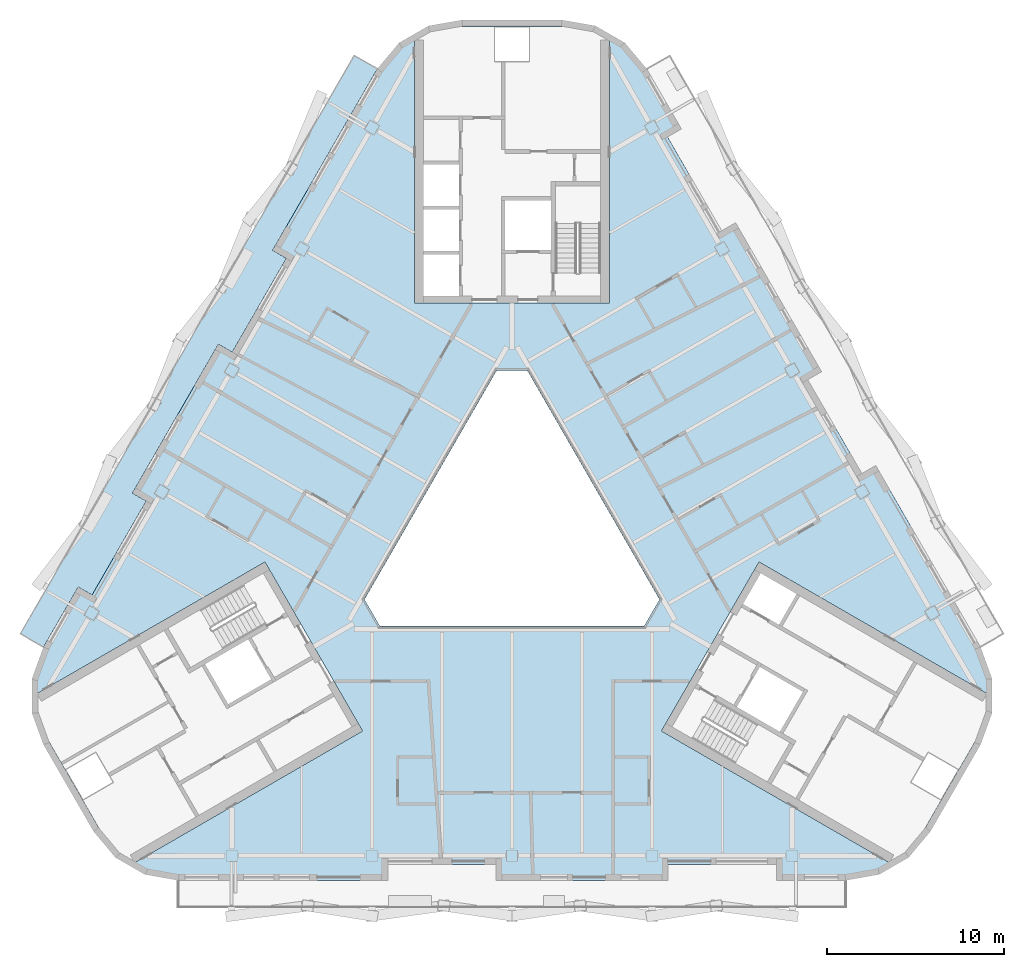
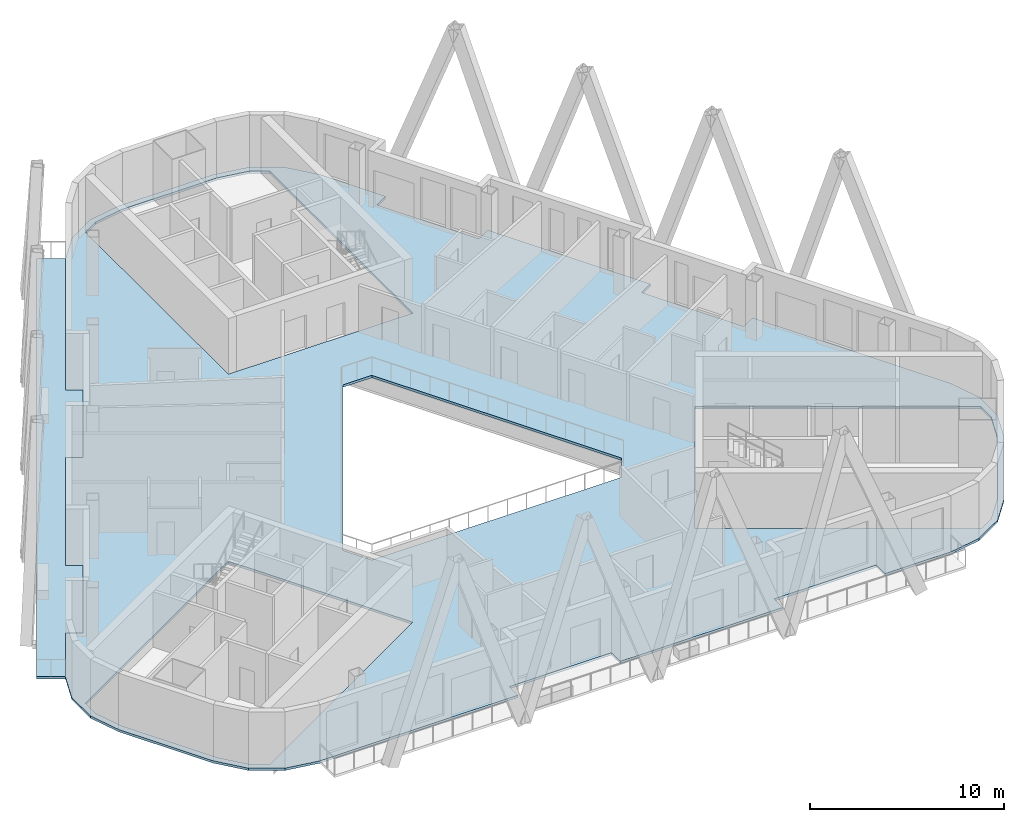
# One storey, part 3 of 18: 2 slabs.
"""IFC4 building model written with IfcOpenShell, lengths in metres."""

from ifc_helpers import new_model, si_unit, direction, frame, origin, place, context, subcontext, project, spatial, polyline, outline, extrude, material, layer, layer_set, type_object, element, save


model = new_model("IFC4")

# Units and contexts
model_context = context("Model", 3, precision=1e-05, world=origin(), true_north=direction((0.0, 1.0)))
body_context = subcontext(model_context, "Body", "Model", "MODEL_VIEW")
ifc_project = project(units=[si_unit("LENGTHUNIT", "METRE"), si_unit("AREAUNIT", "SQUARE_METRE"), si_unit("VOLUMEUNIT", "CUBIC_METRE"), si_unit("PLANEANGLEUNIT", "RADIAN"), si_unit("MASSUNIT", "GRAM", prefix="KILO")], contexts=[model_context])

# Site, building, storey
site_placement = place(None, origin())
site = spatial("IfcSite", under=ifc_project, at=site_placement, CompositionType="ELEMENT")
building_placement = place(site_placement, origin())
building = spatial("IfcBuilding", under=site, at=building_placement, Name="Apuvela Tower Hotel", CompositionType="ELEMENT")
storey_placement = place(building_placement, frame((0.0, 0.0, 246.699951171875)))
storey = spatial("IfcBuildingStorey", under=building, at=storey_placement, Name="L60", CompositionType="ELEMENT", Elevation=246.699951171875)

# Slabs
ifc_material_1 = material(Name="Concrete C40/50, fair-faced", Category="concrete")
ifc_layer_1 = layer(ifc_material_1, 0.14990234375)
ifc_layer_set_1 = layer_set([ifc_layer_1], Name="ENV-BALCONY-150")
slab_type_1 = type_object("IfcSlabType", Name="ENV-BALCONY-150", PredefinedType="FLOOR", material=ifc_layer_set_1)
slab_1_placement = place(storey_placement, frame((0.0, 0.0, -0.14990234375)))
element("IfcSlab", 1, at=slab_1_placement, inside=storey, type_object=slab_type_1, Name="Balcony slab NW L60", PredefinedType="FLOOR", context=body_context, shape_type="SweptSolid", body=[
    extrude(outline(polyline([(-27.7138671875, -5.731689453125), (-8.89306640625, 26.86669921875), (-7.585205078125, 26.11181640625), (-13.4931640625, 15.87890625), (-12.7138671875, 15.428955078125), (-15.768798828125, 10.1376953125), (-16.548095703125, 10.587646484375), (-21.393310546875, 2.19580078125), (-20.61376953125, 1.745849609375), (-23.668701171875, -3.545654296875), (-24.4482421875, -3.095703125), (-26.40625, -6.48681640625), (-27.7138671875, -5.731689453125)])), origin(), (0.0, 0.0, 1.0), 0.14990234375),
])
ifc_material_2 = material(Name="Concrete C35/45", Category="concrete")
ifc_layer_2 = layer(ifc_material_2, 0.14990234375)
ifc_layer_set_2 = layer_set([ifc_layer_2], Name="STR-SLAB 150 floor Concrete C35/45")
slab_type_2 = type_object("IfcSlabType", Name="STR-SLAB 150 floor Concrete C35/45", PredefinedType="FLOOR", material=ifc_layer_set_2)
slab_2_placement = place(storey_placement, frame((0.0, 0.0, -0.14990234375)))
element("IfcSlab", 2, at=slab_2_placement, inside=storey, type_object=slab_type_2, Name="Floor slab S4 L60", PredefinedType="FLOOR", context=body_context, shape_type="SweptSolid", body=[
    extrude(outline(polyline([(-6.3642578125, 27.5732421875), (-4.710205078125, 28.5283203125), (-2.8291015625, 28.860107421875), (2.8291015625, 28.860107421875), (4.710205078125, 28.5283203125), (6.3642578125, 27.5732421875), (7.59228515625, 26.110107421875), (9.550048828125, 22.71875), (8.770751953125, 22.268798828125), (11.82080078125, 16.986083984375), (12.60009765625, 17.43603515625), (17.4501953125, 9.035400390625), (16.670654296875, 8.58544921875), (19.720703125, 3.302734375), (20.5, 3.752685546875), (26.407958984375, -6.47998046875), (27.061279296875, -8.27490234375), (27.061279296875, -10.18505859375), (26.407958984375, -11.97998046875), (23.5791015625, -16.8798828125), (22.351318359375, -18.34326171875), (20.697021484375, -19.29833984375), (18.81591796875, -19.6298828125), (14.89990234375, -19.6298828125), (14.89990234375, -18.72998046875), (8.800048828125, -18.72998046875), (8.800048828125, -19.6298828125), (-0.89990234375, -19.6298828125), (-0.89990234375, -18.72998046875), (-7.0, -18.72998046875), (-7.0, -19.6298828125), (-18.81591796875, -19.6298828125), (-20.697021484375, -19.29833984375), (-22.351318359375, -18.34326171875), (-23.5791015625, -16.8798828125), (-26.407958984375, -11.97998046875), (-27.061279296875, -10.18505859375), (-27.061279296875, -8.27490234375), (-26.407958984375, -6.47998046875), (-24.4501953125, -3.088623046875), (-23.670654296875, -3.538818359375), (-20.62060546875, 1.743896484375), (-21.400146484375, 2.194091796875), (-16.550048828125, 10.594482421875), (-15.7705078125, 10.14453125), (-12.720703125, 15.42724609375), (-13.5, 15.877197265625), (-7.59228515625, 26.110107421875), (-6.3642578125, 27.5732421875)]), holes=[polyline([(0.865966796875, 9.10009765625), (-0.865966796875, 9.10009765625), (-8.313720703125, -3.800048828125), (-7.44775390625, -5.300048828125), (7.44775390625, -5.300048828125), (8.313720703125, -3.800048828125), (0.865966796875, 9.10009765625)]), polyline([(-5.5, 12.89990234375), (-5.5, 27.668212890625), (-4.588623046875, 28.1943359375), (-2.85498046875, 28.5), (2.85498046875, 28.5), (4.588623046875, 28.1943359375), (5.5, 27.668212890625), (5.5, 12.89990234375), (-5.5, 12.89990234375)]), polyline([(-8.421630859375, -11.213134765625), (-21.211181640625, -18.59716796875), (-22.122802734375, -18.071044921875), (-23.254150390625, -16.72265625), (-26.109375, -11.77734375), (-26.711181640625, -10.123291015625), (-26.711181640625, -9.07080078125), (-13.921630859375, -1.68701171875), (-8.421630859375, -11.213134765625)]), polyline([(13.921630859375, -1.68701171875), (26.711181640625, -9.07080078125), (26.711181640625, -10.123291015625), (26.109375, -11.77734375), (23.254150390625, -16.72265625), (22.122802734375, -18.071044921875), (21.211181640625, -18.59716796875), (8.421630859375, -11.213134765625), (13.921630859375, -1.68701171875)])]), origin(), (0.0, 0.0, 1.0), 0.14990234375),
])

save(model, "model.ifc")
